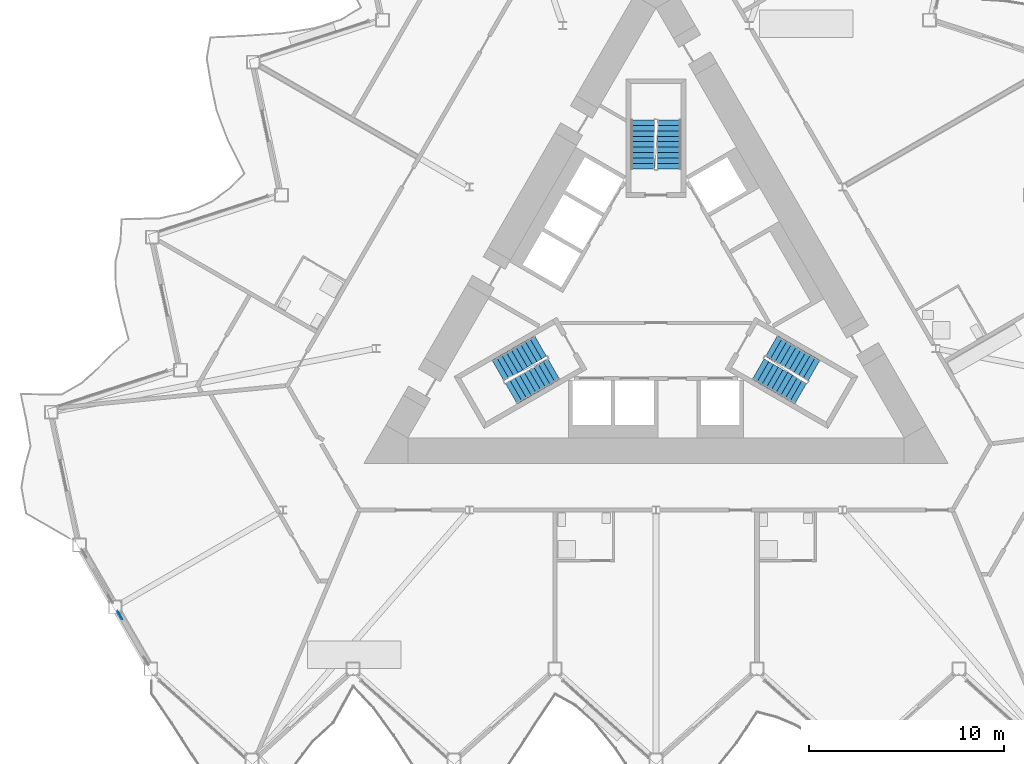
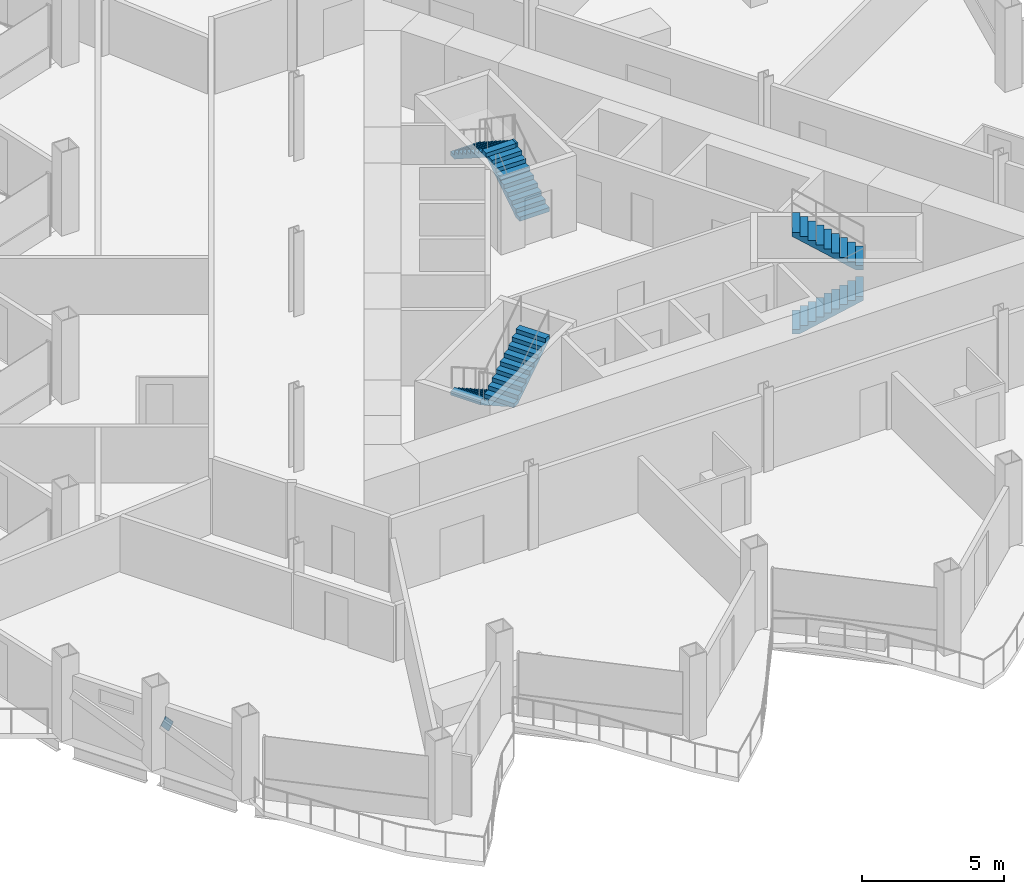
# One storey, part 15 of 23: 6 stair flights, 1 discrete accessory, 3 elements without a shape of their own.
"""IFC4 building model written with IfcOpenShell, lengths in metres."""

from ifc_helpers import new_model, si_unit, direction, frame, origin, origin_2d, place, context, subcontext, project, spatial, polyline, rectangle, outline, extrude, material, material_profile, profile_set, type_object, element, aggregate, save


model = new_model("IFC4")

# Units and contexts
model_context = context("Model", 3, precision=1e-05, world=origin(), true_north=direction((0.0, 1.0)))
body_context = subcontext(model_context, "Body", "Model", "MODEL_VIEW")
ifc_project = project(units=[si_unit("LENGTHUNIT", "METRE"), si_unit("AREAUNIT", "SQUARE_METRE"), si_unit("VOLUMEUNIT", "CUBIC_METRE"), si_unit("PLANEANGLEUNIT", "RADIAN"), si_unit("MASSUNIT", "GRAM", prefix="KILO")], contexts=[model_context])

# Site, building, storey
site_placement = place(None, origin())
site = spatial("IfcSite", under=ifc_project, at=site_placement, CompositionType="ELEMENT")
building_placement = place(site_placement, origin())
building = spatial("IfcBuilding", under=site, at=building_placement, Name="Cormorant Prow Tower", CompositionType="ELEMENT")
storey_placement = place(building_placement, frame((0.0, 0.0, 263.39990234375)))
storey = spatial("IfcBuildingStorey", under=building, at=storey_placement, Name="L59", CompositionType="ELEMENT", Elevation=263.39990234375)

# Stair, stair flights
ifc_material_1 = material(Name="Exit stair 20 risers")
stair_type = type_object("IfcStairType", Name="Exit stair 20 risers", PredefinedType="HALF_TURN_STAIR", material=ifc_material_1)
stair_1_placement = place(storey_placement, origin())
stair_1 = element("IfcStair", 1, at=stair_1_placement, inside=storey, type_object=stair_type, Name="L59 Exit stair ST1", PredefinedType="HALF_TURN_STAIR")
ifc_material_2 = material(Name="Concrete 5000 psi", Category="concrete")
stair_flight_type = type_object("IfcStairFlightType", Name="Stair flight 1219", PredefinedType="STRAIGHT", material=ifc_material_2)
stair_flight_1_placement = place(storey_placement, frame((-5.93310546875, -2.635009765625, 0.0), z_axis=(0.0, 0.0, 1.0), x_axis=(-0.866025403784, -0.5, 0.0)))
stair_flight_1 = element("IfcStairFlight", 2, at=stair_flight_1_placement, type_object=stair_flight_type, Name="ST1 flight 1", NumberOfRisers=10, NumberOfTreads=9, PredefinedType="STRAIGHT", RiserHeight=0.18, TreadLength=0.28, context=body_context, shape_type="SweptSolid", body=[
    extrude(outline(polyline([(0.0, 0.0), (0.0, 0.179931640625), (0.280029296875, 0.179931640625), (0.280029296875, 0.360107421875), (0.56005859375, 0.360107421875), (0.56005859375, 0.5400390625), (0.840087890625, 0.5400390625), (0.840087890625, 0.719970703125), (1.1201171875, 0.719970703125), (1.1201171875, 0.89990234375), (1.39990234375, 0.89990234375), (1.39990234375, 1.080078125), (1.679931640625, 1.080078125), (1.679931640625, 1.260009765625), (1.9599609375, 1.260009765625), (1.9599609375, 1.43994140625), (2.239990234375, 1.43994140625), (2.239990234375, 1.6201171875), (2.52001953125, 1.6201171875), (2.52001953125, 1.800048828125), (2.52001953125, 1.44189453125), (0.277099609375, 0.0), (0.0, 0.0)])), frame((0.0, 0.609375, 0.0), z_axis=(0.0, -1.0, 0.0), x_axis=(1.0, 0.0, 0.0)), (0.0, 0.0, 1.0), 1.218994140625),
])
stair_flight_2_placement = place(storey_placement, frame((-7.43115234375, -5.080810546875, 1.800048828125), z_axis=(0.0, 0.0, 1.0), x_axis=(0.866025403784, 0.5, 0.0)))
stair_flight_2 = element("IfcStairFlight", 3, at=stair_flight_2_placement, type_object=stair_flight_type, Name="ST1 flight 2", NumberOfRisers=10, NumberOfTreads=9, PredefinedType="STRAIGHT", RiserHeight=0.18, TreadLength=0.28, context=body_context, shape_type="SweptSolid", body=[
    extrude(outline(polyline([(0.0, 0.0), (0.0, 0.179931640625), (0.280029296875, 0.179931640625), (0.280029296875, 0.360107421875), (0.56005859375, 0.360107421875), (0.56005859375, 0.5400390625), (0.840087890625, 0.5400390625), (0.840087890625, 0.719970703125), (1.1201171875, 0.719970703125), (1.1201171875, 0.89990234375), (1.39990234375, 0.89990234375), (1.39990234375, 1.080078125), (1.679931640625, 1.080078125), (1.679931640625, 1.260009765625), (1.9599609375, 1.260009765625), (1.9599609375, 1.43994140625), (2.239990234375, 1.43994140625), (2.239990234375, 1.6201171875), (2.52001953125, 1.6201171875), (2.52001953125, 1.800048828125), (2.52001953125, 1.44189453125), (0.277099609375, 0.0), (0.0, 0.0)])), frame((0.0, 0.609375, 0.0), z_axis=(0.0, -1.0, 0.0), x_axis=(1.0, 0.0, 0.0)), (0.0, 0.0, 1.0), 1.218994140625),
])
aggregate(stair_1, [stair_flight_1, stair_flight_2])

stair_2_placement = place(storey_placement, origin())
stair_2 = element("IfcStair", 4, at=stair_2_placement, inside=storey, type_object=stair_type, Name="L59 Exit stair ST2", PredefinedType="HALF_TURN_STAIR")
stair_flight_3_placement = place(storey_placement, frame((5.24853515625, -3.82080078125, 0.0), z_axis=(0.0, 0.0, 1.0), x_axis=(0.866025403784, -0.5, 0.0)))
stair_flight_3 = element("IfcStairFlight", 5, at=stair_flight_3_placement, type_object=stair_flight_type, Name="ST2 flight 1", NumberOfRisers=10, NumberOfTreads=9, PredefinedType="STRAIGHT", RiserHeight=0.18, TreadLength=0.28, context=body_context, shape_type="SweptSolid", body=[
    extrude(outline(polyline([(0.0, 0.0), (0.0, 0.179931640625), (0.280029296875, 0.179931640625), (0.280029296875, 0.360107421875), (0.56005859375, 0.360107421875), (0.56005859375, 0.5400390625), (0.840087890625, 0.5400390625), (0.840087890625, 0.719970703125), (1.1201171875, 0.719970703125), (1.1201171875, 0.89990234375), (1.39990234375, 0.89990234375), (1.39990234375, 1.080078125), (1.679931640625, 1.080078125), (1.679931640625, 1.260009765625), (1.9599609375, 1.260009765625), (1.9599609375, 1.43994140625), (2.239990234375, 1.43994140625), (2.239990234375, 1.6201171875), (2.52001953125, 1.6201171875), (2.52001953125, 1.800048828125), (2.52001953125, 1.44189453125), (0.277099609375, 0.0), (0.0, 0.0)])), frame((0.0, 0.609375, 0.0), z_axis=(0.0, -1.0, 0.0), x_axis=(1.0, 0.0, 0.0)), (0.0, 0.0, 1.0), 1.218994140625),
])
stair_flight_4_placement = place(storey_placement, frame((8.115478515625, -3.89501953125, 1.800048828125), z_axis=(0.0, 0.0, 1.0), x_axis=(-0.866025403784, 0.5, 0.0)))
stair_flight_4 = element("IfcStairFlight", 6, at=stair_flight_4_placement, type_object=stair_flight_type, Name="ST2 flight 2", NumberOfRisers=10, NumberOfTreads=9, PredefinedType="STRAIGHT", RiserHeight=0.18, TreadLength=0.28, context=body_context, shape_type="SweptSolid", body=[
    extrude(outline(polyline([(0.0, 0.0), (0.0, 0.179931640625), (0.280029296875, 0.179931640625), (0.280029296875, 0.360107421875), (0.56005859375, 0.360107421875), (0.56005859375, 0.5400390625), (0.840087890625, 0.5400390625), (0.840087890625, 0.719970703125), (1.1201171875, 0.719970703125), (1.1201171875, 0.89990234375), (1.39990234375, 0.89990234375), (1.39990234375, 1.080078125), (1.679931640625, 1.080078125), (1.679931640625, 1.260009765625), (1.9599609375, 1.260009765625), (1.9599609375, 1.43994140625), (2.239990234375, 1.43994140625), (2.239990234375, 1.6201171875), (2.52001953125, 1.6201171875), (2.52001953125, 1.800048828125), (2.52001953125, 1.44189453125), (0.277099609375, 0.0), (0.0, 0.0)])), frame((0.0, 0.609375, 0.0), z_axis=(0.0, -1.0, 0.0), x_axis=(1.0, 0.0, 0.0)), (0.0, 0.0, 1.0), 1.218994140625),
])
aggregate(stair_2, [stair_flight_3, stair_flight_4])

stair_3_placement = place(storey_placement, origin())
stair_3 = element("IfcStair", 7, at=stair_3_placement, inside=storey, type_object=stair_type, Name="L59 Exit stair ST3", PredefinedType="HALF_TURN_STAIR")
stair_flight_5_placement = place(storey_placement, frame((0.6845703125, 6.455810546875, 0.0), z_axis=(0.0, 0.0, 1.0), x_axis=(0.0, 1.0, 0.0)))
stair_flight_5 = element("IfcStairFlight", 8, at=stair_flight_5_placement, type_object=stair_flight_type, Name="ST3 flight 1", NumberOfRisers=10, NumberOfTreads=9, PredefinedType="STRAIGHT", RiserHeight=0.18, TreadLength=0.28, context=body_context, shape_type="SweptSolid", body=[
    extrude(outline(polyline([(0.0, 0.0), (0.0, 0.179931640625), (0.280029296875, 0.179931640625), (0.280029296875, 0.360107421875), (0.56005859375, 0.360107421875), (0.56005859375, 0.5400390625), (0.840087890625, 0.5400390625), (0.840087890625, 0.719970703125), (1.1201171875, 0.719970703125), (1.1201171875, 0.89990234375), (1.39990234375, 0.89990234375), (1.39990234375, 1.080078125), (1.679931640625, 1.080078125), (1.679931640625, 1.260009765625), (1.9599609375, 1.260009765625), (1.9599609375, 1.43994140625), (2.239990234375, 1.43994140625), (2.239990234375, 1.6201171875), (2.52001953125, 1.6201171875), (2.52001953125, 1.800048828125), (2.52001953125, 1.44189453125), (0.277099609375, 0.0), (0.0, 0.0)])), frame((0.0, 0.609375, 0.0), z_axis=(0.0, -1.0, 0.0), x_axis=(1.0, 0.0, 0.0)), (0.0, 0.0, 1.0), 1.218994140625),
])
stair_flight_6_placement = place(storey_placement, frame((-0.6845703125, 8.975830078125, 1.800048828125), z_axis=(0.0, 0.0, 1.0), x_axis=(0.0, -1.0, 0.0)))
stair_flight_6 = element("IfcStairFlight", 9, at=stair_flight_6_placement, type_object=stair_flight_type, Name="ST3 flight 2", NumberOfRisers=10, NumberOfTreads=9, PredefinedType="STRAIGHT", RiserHeight=0.18, TreadLength=0.28, context=body_context, shape_type="SweptSolid", body=[
    extrude(outline(polyline([(0.0, 0.0), (0.0, 0.179931640625), (0.280029296875, 0.179931640625), (0.280029296875, 0.360107421875), (0.56005859375, 0.360107421875), (0.56005859375, 0.5400390625), (0.840087890625, 0.5400390625), (0.840087890625, 0.719970703125), (1.1201171875, 0.719970703125), (1.1201171875, 0.89990234375), (1.39990234375, 0.89990234375), (1.39990234375, 1.080078125), (1.679931640625, 1.080078125), (1.679931640625, 1.260009765625), (1.9599609375, 1.260009765625), (1.9599609375, 1.43994140625), (2.239990234375, 1.43994140625), (2.239990234375, 1.6201171875), (2.52001953125, 1.6201171875), (2.52001953125, 1.800048828125), (2.52001953125, 1.44189453125), (0.277099609375, 0.0), (0.0, 0.0)])), frame((0.0, 0.609375, 0.0), z_axis=(0.0, -1.0, 0.0), x_axis=(1.0, 0.0, 0.0)), (0.0, 0.0, 1.0), 1.218994140625),
])
aggregate(stair_3, [stair_flight_5, stair_flight_6])

# Discrete accessory
ifc_material_3 = material(Name="Structural steel ASTM A500 Gr C", Category="steel")
ifc_material_profile = material_profile(ifc_material_3, rectangle(XDim=0.031982421875, YDim=0.506103515625, at=origin_2d()), Name="Gusset plate 32x506")
ifc_profile_set = profile_set([ifc_material_profile], Name="Structural steel ASTM A500 Gr C")
discrete_accessory_type = type_object("IfcDiscreteAccessoryType", Name="Gusset plate 32x506", PredefinedType="BRACKET", material=ifc_profile_set)
discrete_accessory_placement = place(storey_placement, frame((-27.454833984375, -16.59375, 1.837890625), z_axis=(-0.462538490196, 0.801593854051, 0.378821116405), x_axis=(-0.866147934042, -0.499787711288, 0.0)))
element("IfcDiscreteAccessory", 10, at=discrete_accessory_placement, inside=storey, type_object=discrete_accessory_type, Name="Gusset plate GP2 L59.WSW01.g1", PredefinedType="BRACKET", context=body_context, shape_type="SweptSolid", body=[
    extrude(rectangle(XDim=0.031982421875, YDim=0.506103515625, at=origin_2d()), origin(), (0.0, 0.0, 1.0), 0.349853515625),
])

save(model, "model.ifc")
